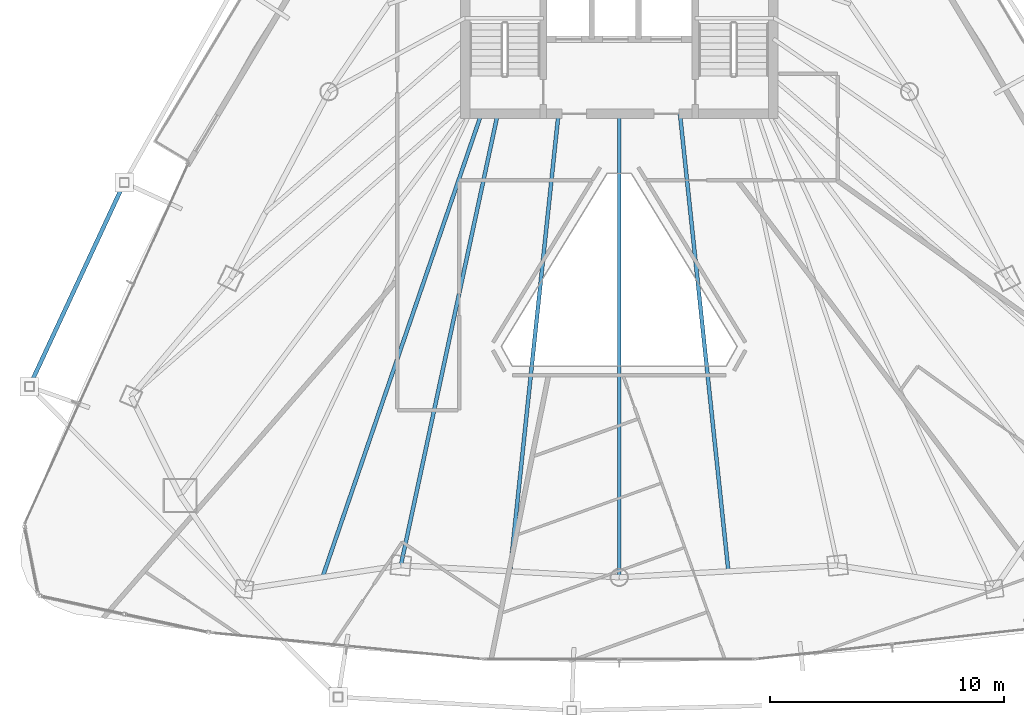
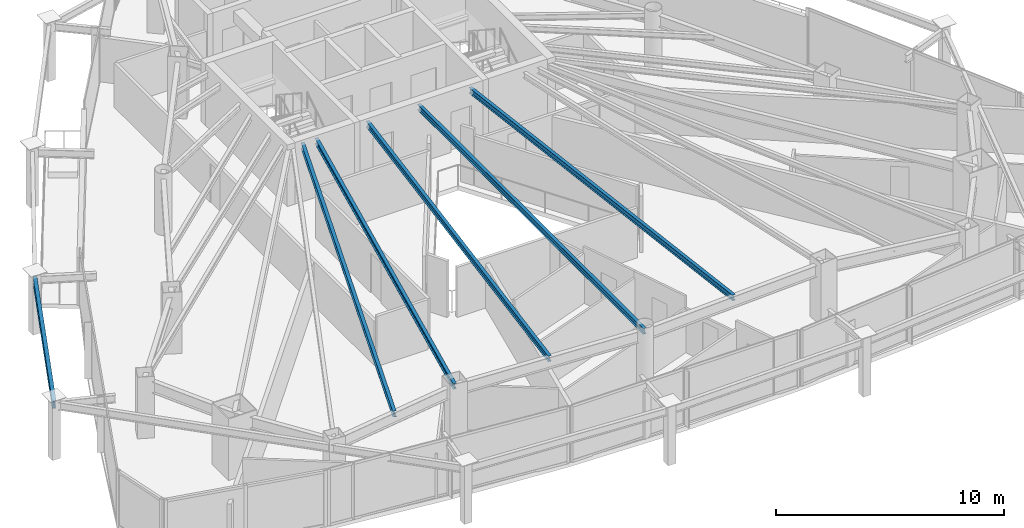
# One storey, part 9 of 30: 6 beams.
"""IFC4 building model written with IfcOpenShell, lengths in metres."""

from ifc_helpers import new_model, si_unit, direction, frame, origin, origin_2d, place, context, subcontext, project, spatial, i_section, extrude, material, material_profile, profile_set, type_object, element, save


model = new_model("IFC4")

# Units and contexts
model_context = context("Model", 3, precision=1e-05, world=origin(), true_north=direction((0.0, 1.0)))
body_context = subcontext(model_context, "Body", "Model", "MODEL_VIEW")
ifc_project = project(units=[si_unit("LENGTHUNIT", "METRE"), si_unit("AREAUNIT", "SQUARE_METRE"), si_unit("VOLUMEUNIT", "CUBIC_METRE"), si_unit("PLANEANGLEUNIT", "RADIAN"), si_unit("MASSUNIT", "GRAM", prefix="KILO")], contexts=[model_context])

# Site, building, storey
site_placement = place(None, origin())
site = spatial("IfcSite", under=ifc_project, at=site_placement, CompositionType="ELEMENT")
building_placement = place(site_placement, origin())
building = spatial("IfcBuilding", under=site, at=building_placement, Name="Orvanel Arch Residences", CompositionType="ELEMENT")
storey_placement = place(building_placement, frame((0.0, 0.0, 143.0)))
storey = spatial("IfcBuildingStorey", under=building, at=storey_placement, Name="L40", CompositionType="ELEMENT", Elevation=143.0)

# Beams
ifc_material = material(Name="Structural steel AS/NZS 3679.1 Grade 300 (300 MPa)", Category="steel")
ifc_material_profile_1 = material_profile(ifc_material, i_section(OverallWidth=0.1650390625, OverallDepth=0.303955078125, WebThickness=0.006103515625, FlangeThickness=0.01025390625, at=origin_2d()), Name="310UB40.4")
ifc_profile_set_1 = profile_set([ifc_material_profile_1], Name="Structural steel AS/NZS 3679.1 Grade 300 (300 MPa)")
beam_type_1 = type_object("IfcBeamType", Name="BJ-310UB", PredefinedType="JOIST", material=ifc_profile_set_1)
beam_1_placement = place(storey_placement, frame((27.800048828125, 26.699951171875, 2.867919921875), z_axis=(-0.209808012425, -0.977742603103, 0.0), x_axis=(0.977742603103, -0.209808012425, 0.0)))
element("IfcBeam", 1, at=beam_1_placement, inside=storey, type_object=beam_type_1, Name="L40 SW Wing Floor Joist", PredefinedType="JOIST", context=body_context, shape_type="SweptSolid", body=[
    extrude(i_section(OverallWidth=0.1650390625, OverallDepth=0.303955078125, WebThickness=0.006103515625, FlangeThickness=0.01025390625, at=origin_2d()), origin(), (0.0, 0.0, 1.0), 19.785400390625),
])
beam_2_placement = place(storey_placement, frame((33.0, 26.699951171875, 2.867919921875), z_axis=(0.0, -1.0, 0.0), x_axis=(1.0, 0.0, 0.0)))
element("IfcBeam", 2, at=beam_2_placement, inside=storey, type_object=beam_type_1, Name="L40 SSW Wing Floor Joist", PredefinedType="JOIST", context=body_context, shape_type="SweptSolid", body=[
    extrude(i_section(OverallWidth=0.1650390625, OverallDepth=0.303955078125, WebThickness=0.006103515625, FlangeThickness=0.01025390625, at=origin_2d()), origin(), (0.0, 0.0, 1.0), 19.85595703125),
])
for number, where, z_axis, x_axis, name in (
    (3, (30.39990234375, 26.699951171875, 2.867919921875), (-0.105277340935, -0.994442900063, 0.0), (0.994442900063, -0.105277340935, 0.0), "L40 WSW2 Wing Floor Joist"),
    (4, (35.60009765625, 26.699951171875, 2.867919921875), (0.105277340935, -0.994442900063, 0.0), (0.994442900063, 0.105277340935, 0.0), "L40 ESE2 Wing Floor Joist"),
):
    element("IfcBeam", number, at=place(storey_placement, frame(where, z_axis=z_axis, x_axis=x_axis)), inside=storey, type_object=beam_type_1, Name=name, PredefinedType="JOIST", context=body_context, shape_type="SweptSolid", body=[
        extrude(i_section(OverallWidth=0.1650390625, OverallDepth=0.303955078125, WebThickness=0.006103515625, FlangeThickness=0.01025390625, at=origin_2d()), origin(), (0.0, 0.0, 1.0), 19.70947265625),
    ])
beam_3_placement = place(storey_placement, frame((27.10009765625, 26.699951171875, 2.867919921875), z_axis=(-0.324257108963, -0.945968988544, 0.0), x_axis=(0.945968988544, -0.324257108963, 0.0)))
element("IfcBeam", 5, at=beam_3_placement, inside=storey, type_object=beam_type_1, Name="L40 JADD1 Wing Floor Joist", PredefinedType="JOIST", context=body_context, shape_type="SweptSolid", body=[
    extrude(i_section(OverallWidth=0.1650390625, OverallDepth=0.303955078125, WebThickness=0.006103515625, FlangeThickness=0.01025390625, at=origin_2d()), origin(), (0.0, 0.0, 1.0), 20.987060546875),
])
ifc_material_profile_2 = material_profile(ifc_material, i_section(OverallWidth=0.177978515625, OverallDepth=0.406005859375, WebThickness=0.0078125, FlangeThickness=0.0126953125, at=origin_2d()), Name="410UB59.7")
ifc_profile_set_2 = profile_set([ifc_material_profile_2], Name="Structural steel AS/NZS 3679.1 Grade 300 (300 MPa)")
beam_type_2 = type_object("IfcBeamType", Name="OB-410UB-EXT", PredefinedType="SPANDREL", material=ifc_profile_set_2)
beam_4_placement = place(storey_placement, frame((11.805908203125, 23.748046875, 2.81689453125), z_axis=(-0.42175496515, -0.906709848502, 0.0), x_axis=(0.906709848502, -0.42175496515, 0.0)))
element("IfcBeam", 6, at=beam_4_placement, inside=storey, type_object=beam_type_2, Name="L40 Outer Perimeter Floor Ring Beam 03", PredefinedType="SPANDREL", context=body_context, shape_type="SweptSolid", body=[
    extrude(i_section(OverallWidth=0.177978515625, OverallDepth=0.406005859375, WebThickness=0.0078125, FlangeThickness=0.0126953125, at=origin_2d()), origin(), (0.0, 0.0, 1.0), 9.63818359375),
])

save(model, "model.ifc")
